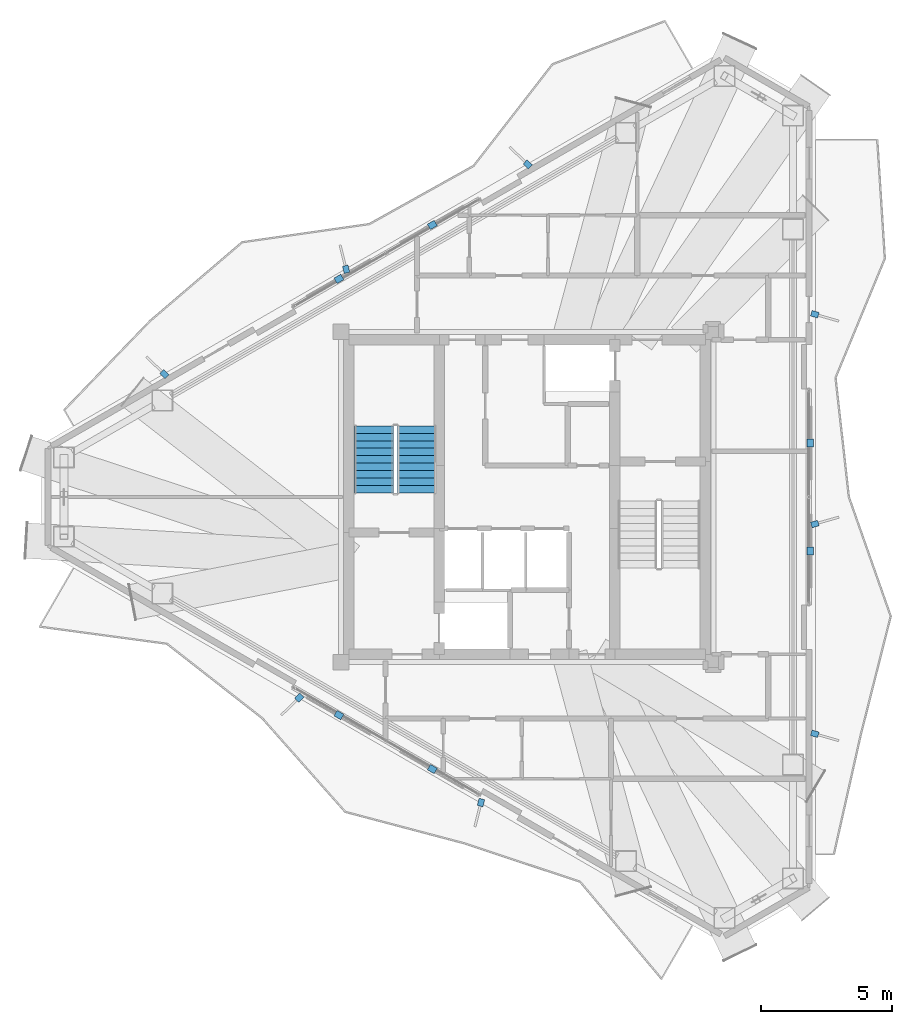
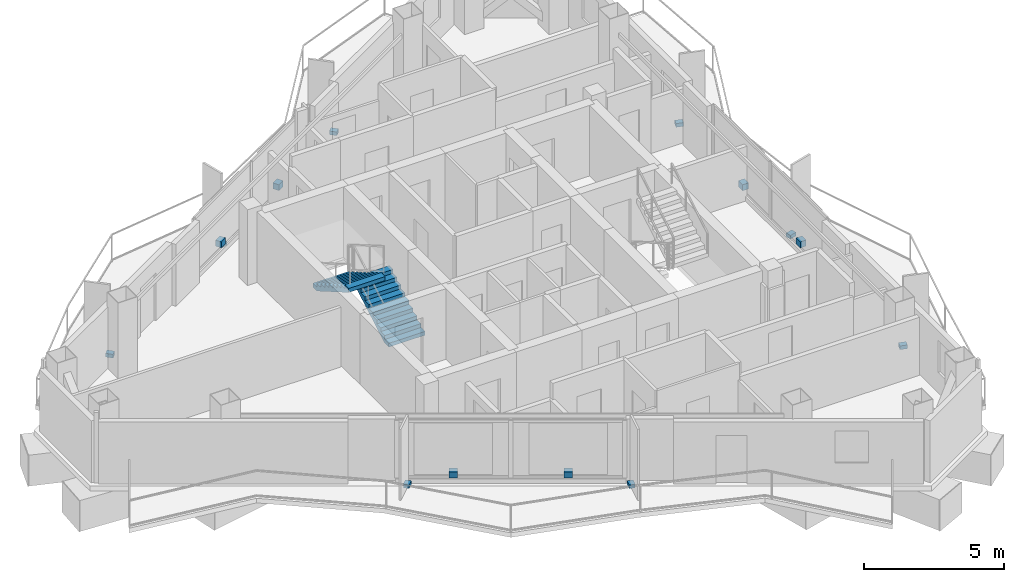
# One storey, part 16 of 17: 14 discrete accessories, 2 stair flights, 1 element without a shape of its own.
"""IFC4 building model written with IfcOpenShell, lengths in metres."""

from ifc_helpers import new_model, si_unit, direction, frame, origin, origin_2d, place, context, subcontext, project, spatial, polyline, rectangle, outline, extrude, material, layer, layer_set, type_object, element, aggregate, save


model = new_model("IFC4")

# Units and contexts
model_context = context("Model", 3, precision=1e-05, world=origin(), true_north=direction((0.0, 1.0)))
body_context = subcontext(model_context, "Body", "Model", "MODEL_VIEW")
ifc_project = project(units=[si_unit("LENGTHUNIT", "METRE"), si_unit("AREAUNIT", "SQUARE_METRE"), si_unit("VOLUMEUNIT", "CUBIC_METRE"), si_unit("PLANEANGLEUNIT", "RADIAN"), si_unit("MASSUNIT", "GRAM", prefix="KILO")], contexts=[model_context])

# Site, building, storey
site_placement = place(None, origin())
site = spatial("IfcSite", under=ifc_project, at=site_placement, CompositionType="ELEMENT")
building_placement = place(site_placement, origin())
building = spatial("IfcBuilding", under=site, at=building_placement, Name="Mersakhor Tower and Convention Hall", CompositionType="ELEMENT")
storey_placement = place(building_placement, frame((0.0, 0.0, 223.199951171875)))
storey = spatial("IfcBuildingStorey", under=building, at=storey_placement, Name="L62", CompositionType="ELEMENT", Elevation=223.199951171875)

# Stair, stair flights
ifc_material_1 = material(Name="Concrete C45/55", Category="concrete")
stair_type = type_object("IfcStairType", Name="ST-TWR-20R", PredefinedType="HALF_TURN_STAIR", material=ifc_material_1)
stair_placement = place(storey_placement, origin())
stair = element("IfcStair", 1, at=stair_placement, inside=storey, type_object=stair_type, Name="L62 Tower Protected Exit Stair ST-1", PredefinedType="HALF_TURN_STAIR")
ifc_material_2 = material(Name="Concrete C45/55", Category="concrete")
stair_flight_type = type_object("IfcStairFlightType", Name="SFL-TWR-20R", PredefinedType="STRAIGHT", material=ifc_material_2)
stair_flight_1_placement = place(storey_placement, frame((24.800048828125, 26.89990234375, 0.0), z_axis=(0.0, 0.0, 1.0), x_axis=(0.0, 1.0, 0.0)))
stair_flight_1 = element("IfcStairFlight", 2, at=stair_flight_1_placement, type_object=stair_flight_type, Name="ST-1 flight 1", NumberOfRisers=10, NumberOfTreads=9, PredefinedType="STRAIGHT", RiserHeight=0.165, TreadLength=0.285, context=body_context, shape_type="SweptSolid", body=[
    extrude(outline(polyline([(0.0, 0.0), (0.0, 0.1650390625), (0.284912109375, 0.1650390625), (0.284912109375, 0.330078125), (0.570068359375, 0.330078125), (0.570068359375, 0.4951171875), (0.85498046875, 0.4951171875), (0.85498046875, 0.659912109375), (1.139892578125, 0.659912109375), (1.139892578125, 0.824951171875), (1.425048828125, 0.824951171875), (1.425048828125, 0.989990234375), (1.7099609375, 0.989990234375), (1.7099609375, 1.155029296875), (1.9951171875, 1.155029296875), (1.9951171875, 1.320068359375), (2.280029296875, 1.320068359375), (2.280029296875, 1.485107421875), (2.56494140625, 1.485107421875), (2.56494140625, 1.64990234375), (2.56494140625, 1.311767578125), (0.299072265625, 0.0), (0.0, 0.0)])), frame((0.0, 0.75, 0.0), z_axis=(0.0, -1.0, 0.0), x_axis=(1.0, 0.0, 0.0)), (0.0, 0.0, 1.0), 1.5),
])
stair_flight_2_placement = place(storey_placement, frame((23.14990234375, 29.465087890625, 1.650146484375), z_axis=(0.0, 0.0, 1.0), x_axis=(0.0, -1.0, 0.0)))
stair_flight_2 = element("IfcStairFlight", 3, at=stair_flight_2_placement, type_object=stair_flight_type, Name="ST-1 flight 2", NumberOfRisers=10, NumberOfTreads=9, PredefinedType="STRAIGHT", RiserHeight=0.165, TreadLength=0.285, context=body_context, shape_type="SweptSolid", body=[
    extrude(outline(polyline([(0.0, 0.0), (0.0, 0.1650390625), (0.284912109375, 0.1650390625), (0.284912109375, 0.330078125), (0.570068359375, 0.330078125), (0.570068359375, 0.4951171875), (0.85498046875, 0.4951171875), (0.85498046875, 0.659912109375), (1.139892578125, 0.659912109375), (1.139892578125, 0.824951171875), (1.425048828125, 0.824951171875), (1.425048828125, 0.989990234375), (1.7099609375, 0.989990234375), (1.7099609375, 1.155029296875), (1.9951171875, 1.155029296875), (1.9951171875, 1.320068359375), (2.280029296875, 1.320068359375), (2.280029296875, 1.485107421875), (2.56494140625, 1.485107421875), (2.56494140625, 1.64990234375), (2.56494140625, 1.311767578125), (0.299072265625, 0.0), (0.0, 0.0)])), frame((0.0, 0.75, 0.0), z_axis=(0.0, -1.0, 0.0), x_axis=(1.0, 0.0, 0.0)), (0.0, 0.0, 1.0), 1.5),
])
aggregate(stair, [stair_flight_1, stair_flight_2])

# Discrete accessories
ifc_material_3 = material(Name="Galvanised steel bracket", Category="steel")
ifc_layer = layer(ifc_material_3, 0.02001953125)
ifc_layer_set = layer_set([ifc_layer], Name="Galvanised steel bracket")
discrete_accessory_type = type_object("IfcDiscreteAccessoryType", Name="ACC-BRK-STL", PredefinedType="BRACKET", material=ifc_layer_set)
for number, where, z_axis, x_axis, name in (
    (4, (21.822265625, 35.068359375, 0.2900390625), (0.0, 0.0, 1.0), (0.866025403784, 0.5, 0.0), "L62 Solar Screen Outrigger Bracket BRK-1-1"),
    (5, (25.385009765625, 37.125244140625, 0.2900390625), (0.0, 0.0, 1.0), (0.866025403784, 0.5, 0.0), "L62 Solar Screen Outrigger Bracket BRK-1-2"),
):
    element("IfcDiscreteAccessory", number, at=place(storey_placement, frame(where, z_axis=z_axis, x_axis=x_axis)), inside=storey, type_object=discrete_accessory_type, Name=name, PredefinedType="BRACKET", context=body_context, shape_type="SweptSolid", body=[
        extrude(rectangle(XDim=0.300048828125, YDim=0.239990234375, at=origin_2d()), origin(), (0.0, 0.0, 1.0), 0.260009765625),
    ])
for number, where, z_axis, x_axis, name in (
    (6, (15.16845703125, 31.434814453125, -0.02001953125), (0.0, 0.0, 1.0), (-0.719339800339, 0.694658370459, 0.0), "L62 Facade Fin Base Cleat Bracket FBRK-1-1"),
    (7, (22.0966796875, 35.434814453125, -0.02001953125), (0.0, 0.0, 1.0), (-0.2419218956, 0.970295726276, 0.0), "L62 Facade Fin Base Cleat Bracket FBRK-1-2"),
    (8, (29.02490234375, 39.434814453125, -0.02001953125), (0.0, 0.0, 1.0), (-0.719339800339, 0.694658370459, 0.0), "L62 Facade Fin Base Cleat Bracket FBRK-1-3"),
):
    element("IfcDiscreteAccessory", number, at=place(storey_placement, frame(where, z_axis=z_axis, x_axis=x_axis)), inside=storey, type_object=discrete_accessory_type, Name=name, PredefinedType="BRACKET", context=body_context, shape_type="SweptSolid", body=[
        extrude(rectangle(XDim=0.280029296875, YDim=0.219970703125, at=origin_2d()), origin(), (0.0, 0.0, 1.0), 0.159912109375),
    ])
for number, where, z_axis, x_axis, name in (
    (9, (39.792724609375, 28.806884765625, 0.2900390625), (0.0, 0.0, 1.0), (0.0, -1.0, 0.0), "L62 Solar Screen Outrigger Bracket BRK-2-1"),
    (10, (39.792724609375, 24.693115234375, 0.2900390625), (0.0, 0.0, 1.0), (0.0, -1.0, 0.0), "L62 Solar Screen Outrigger Bracket BRK-2-2"),
):
    element("IfcDiscreteAccessory", number, at=place(storey_placement, frame(where, z_axis=z_axis, x_axis=x_axis)), inside=storey, type_object=discrete_accessory_type, Name=name, PredefinedType="BRACKET", context=body_context, shape_type="SweptSolid", body=[
        extrude(rectangle(XDim=0.300048828125, YDim=0.239990234375, at=origin_2d()), origin(), (0.0, 0.0, 1.0), 0.260009765625),
    ])
for number, where, z_axis, x_axis, name in (
    (11, (39.972900390625, 33.719482421875, -0.02001953125), (0.0, 0.0, 1.0), (0.961261695938, -0.275637355817, 0.0), "L62 Facade Fin Base Cleat Bracket FBRK-2-1"),
    (12, (39.972900390625, 25.719482421875, -0.02001953125), (0.0, 0.0, 1.0), (0.961261695938, 0.275637355817, 0.0), "L62 Facade Fin Base Cleat Bracket FBRK-2-2"),
    (13, (39.972900390625, 17.719482421875, -0.02001953125), (0.0, 0.0, 1.0), (0.961261695938, -0.275637355817, 0.0), "L62 Facade Fin Base Cleat Bracket FBRK-2-3"),
):
    element("IfcDiscreteAccessory", number, at=place(storey_placement, frame(where, z_axis=z_axis, x_axis=x_axis)), inside=storey, type_object=discrete_accessory_type, Name=name, PredefinedType="BRACKET", context=body_context, shape_type="SweptSolid", body=[
        extrude(rectangle(XDim=0.280029296875, YDim=0.219970703125, at=origin_2d()), origin(), (0.0, 0.0, 1.0), 0.159912109375),
    ])
for number, where, z_axis, x_axis, name in (
    (14, (25.385009765625, 16.374755859375, 0.2900390625), (0.0, 0.0, 1.0), (-0.866025403784, 0.5, 0.0), "L62 Solar Screen Outrigger Bracket BRK-3-1"),
    (15, (21.822265625, 18.431640625, 0.2900390625), (0.0, 0.0, 1.0), (-0.866025403784, 0.5, 0.0), "L62 Solar Screen Outrigger Bracket BRK-3-2"),
):
    element("IfcDiscreteAccessory", number, at=place(storey_placement, frame(where, z_axis=z_axis, x_axis=x_axis)), inside=storey, type_object=discrete_accessory_type, Name=name, PredefinedType="BRACKET", context=body_context, shape_type="SweptSolid", body=[
        extrude(rectangle(XDim=0.300048828125, YDim=0.239990234375, at=origin_2d()), origin(), (0.0, 0.0, 1.0), 0.260009765625),
    ])
for number, where, z_axis, x_axis, name in (
    (16, (27.239990234375, 15.095947265625, -0.02001953125), (0.0, 0.0, 1.0), (-0.2419218956, -0.970295726276, 0.0), "L62 Facade Fin Base Cleat Bracket FBRK-3-1"),
    (17, (20.311767578125, 19.095947265625, -0.02001953125), (0.0, 0.0, 1.0), (-0.719339800339, -0.694658370459, 0.0), "L62 Facade Fin Base Cleat Bracket FBRK-3-2"),
):
    element("IfcDiscreteAccessory", number, at=place(storey_placement, frame(where, z_axis=z_axis, x_axis=x_axis)), inside=storey, type_object=discrete_accessory_type, Name=name, PredefinedType="BRACKET", context=body_context, shape_type="SweptSolid", body=[
        extrude(rectangle(XDim=0.280029296875, YDim=0.219970703125, at=origin_2d()), origin(), (0.0, 0.0, 1.0), 0.159912109375),
    ])

save(model, "model.ifc")
